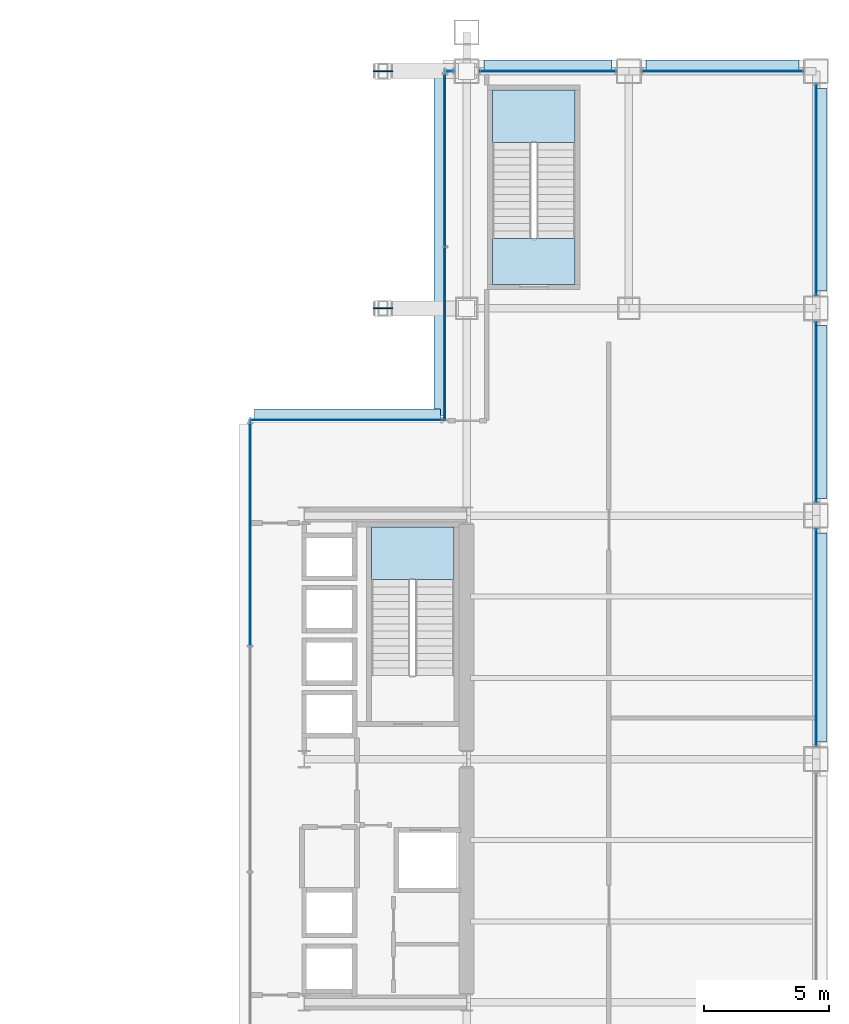
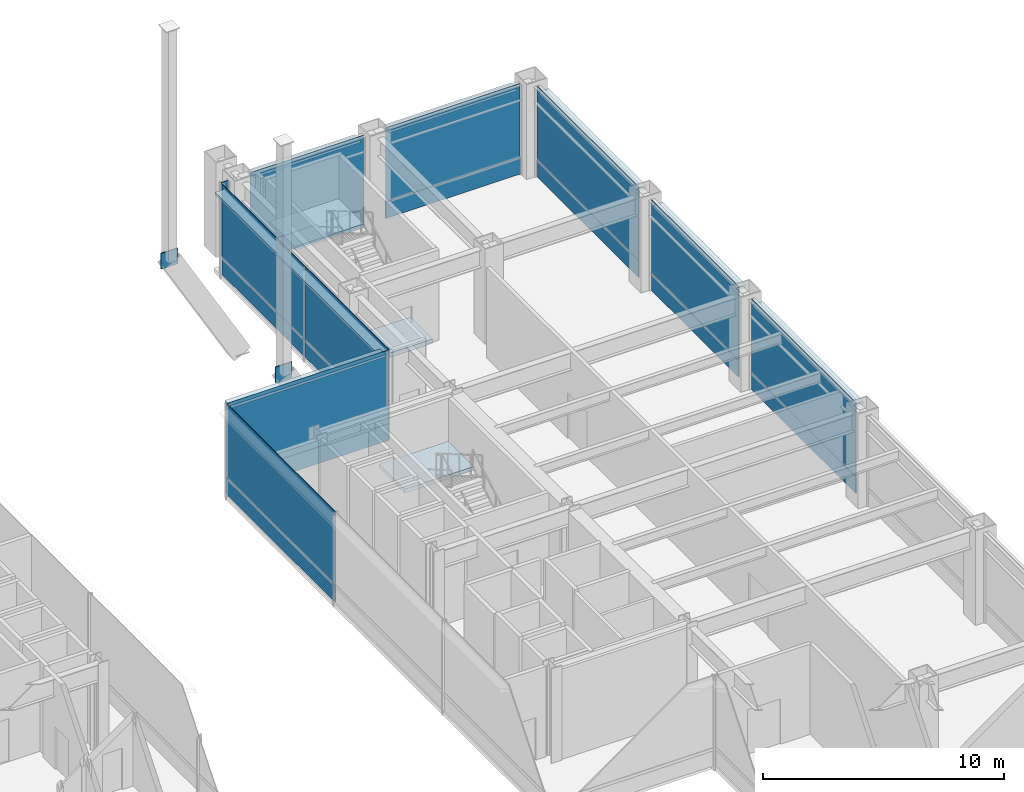
# One storey, part 32 of 40: 28 plates, 3 slabs, 11 elements without a shape of their own.
"""IFC4 building model written with IfcOpenShell, lengths in metres."""

import ifcopenshell
import ifcopenshell.guid

model = None  # the IFC model being written
_history = None  # IfcOwnerHistory: only IFC2X3 demands one
_inside = {}  # id of a spatial element -> (the spatial element, [elements in it])
_under = {}  # id of a project, library or spatial element -> (it, [spatial elements below it])
_declared = {}  # id of a project -> (the project, [libraries it declares])
_typed = {}  # id of a type object -> (the type object, [elements of that type])
_made_of = {}  # id of a material, layer set ... -> (it, [elements and type objects made of it])


def new_model(schema):
    """Start an empty IFC model of exactly this schema.

    Asked for "IFC4X3", IfcOpenShell would pick the latest addendum, in which some entities
    have other attributes; the version numbers below select the first issue.
    IFC2X3 requires an IfcOwnerHistory on every rooted entity: one is made here for all.
    """
    global model, _history
    if schema == "IFC4X3":
        model = ifcopenshell.file(schema_version=(4, 3, 0, 0))
    else:
        model = ifcopenshell.file(schema=schema)
    _inside.clear()
    _under.clear()
    _declared.clear()
    _typed.clear()
    _made_of.clear()
    _history = None
    if model.schema == "IFC2X3":
        org = make("IfcOrganization", Name="unknown")
        user = make(
            "IfcPersonAndOrganization",
            ThePerson=make("IfcPerson", FamilyName="unknown"),
            TheOrganization=org,
        )
        app = make(
            "IfcApplication",
            ApplicationDeveloper=org,
            Version="unknown",
            ApplicationFullName="unknown",
            ApplicationIdentifier="unknown",
        )
        _history = make(
            "IfcOwnerHistory",
            OwningUser=user,
            OwningApplication=app,
            ChangeAction="ADDED",
            CreationDate=0,
        )
    return model


def make(cls, **values):
    """One entity of the class cls with the attributes given. An attribute that is None is left unset."""
    return model.create_entity(
        cls, **{name: value for name, value in values.items() if value is not None}
    )


def rooted(cls, **values):
    """An entity with a GlobalId (a new one), such as an element, a storey or a relation."""
    return make(cls, GlobalId=ifcopenshell.guid.new(), OwnerHistory=_history, **values)


def si_unit(unit_type, name, prefix=None):
    """IfcSIUnit, for example si_unit("LENGTHUNIT", "METRE", prefix="MILLI")."""
    return make("IfcSIUnit", UnitType=unit_type, Prefix=prefix, Name=name)


def assignment(units):
    """IfcUnitAssignment: the units of a project."""
    return None if units is None else make("IfcUnitAssignment", Units=units)


def point(xyz):
    """IfcCartesianPoint."""
    return None if xyz is None else make("IfcCartesianPoint", Coordinates=xyz)


def direction(xyz):
    """IfcDirection."""
    return None if xyz is None else make("IfcDirection", DirectionRatios=xyz)


def frame(location, z_axis=None, x_axis=None):
    """IfcAxis2Placement3D, a coordinate frame: its origin and axes. An axis left out is left unset."""
    return make(
        "IfcAxis2Placement3D",
        Location=point(location),
        Axis=direction(z_axis),
        RefDirection=direction(x_axis),
    )


def frame_2d(location, x_axis=None):
    """IfcAxis2Placement2D, a coordinate frame in the plane: its origin and x axis."""
    return make(
        "IfcAxis2Placement2D", Location=point(location), RefDirection=direction(x_axis)
    )


def origin():
    """The frame at (0, 0, 0) with its axes left unset."""
    return frame((0.0, 0.0, 0.0))


def origin_2d():
    """The frame at (0, 0) in the plane with its x axis left unset."""
    return frame_2d((0.0, 0.0))


def place(relative_to, where):
    """IfcLocalPlacement: puts the frame where relative to a parent placement (None: the world)."""
    return make(
        "IfcLocalPlacement", PlacementRelTo=relative_to, RelativePlacement=where
    )


def context(
    kind, dimensions, precision=None, world=None, true_north=None, identifier=None
):
    """IfcGeometricRepresentationContext, for example the 3D "Model" context."""
    return make(
        "IfcGeometricRepresentationContext",
        ContextIdentifier=identifier,
        ContextType=kind,
        CoordinateSpaceDimension=dimensions,
        Precision=precision,
        WorldCoordinateSystem=world,
        TrueNorth=true_north,
    )


def subcontext(parent, identifier, kind, view, scale=None):
    """IfcGeometricRepresentationSubContext, for example "Body" below "Model"."""
    return make(
        "IfcGeometricRepresentationSubContext",
        ContextIdentifier=identifier,
        ContextType=kind,
        ParentContext=parent,
        TargetScale=scale,
        TargetView=view,
    )


def project(units=None, contexts=None):
    """IfcProject with its units and contexts."""
    return rooted(
        "IfcProject",
        Name="project",
        RepresentationContexts=contexts,
        UnitsInContext=assignment(units),
    )


def spatial(cls, under=None, at=None, **own):
    """A site, building, storey or space (cls), placed at a placement, below another one or the project."""
    s = rooted(cls, ObjectPlacement=at, **own)
    if under is not None:
        _under.setdefault(under.id(), (under, []))[1].append(s)
    return s


def polyline(points):
    """IfcPolyline through the points."""
    return make("IfcPolyline", Points=[point(p) for p in points])


def profile(cls, at=None, kind="AREA", **sizes):
    """A parametric profile (cls). Its sizes go by their IFC names, for example OverallWidth=200.0."""
    return make(cls, ProfileType=kind, Position=at, **sizes)


def rectangle(**sizes):
    """IfcRectangleProfileDef."""
    return profile("IfcRectangleProfileDef", **sizes)


def outline(outer, holes=None, kind="AREA"):
    """IfcArbitraryClosedProfileDef: a profile drawn as a closed curve; with holes, ...WithVoids."""
    if holes is None:
        return make("IfcArbitraryClosedProfileDef", ProfileType=kind, OuterCurve=outer)
    return make(
        "IfcArbitraryProfileDefWithVoids",
        ProfileType=kind,
        OuterCurve=outer,
        InnerCurves=holes,
    )


def extrude(swept, where, along, depth):
    """IfcExtrudedAreaSolid: the profile swept, set in the frame where, extruded along a direction by depth."""
    return make(
        "IfcExtrudedAreaSolid",
        SweptArea=swept,
        Position=where,
        ExtrudedDirection=direction(along),
        Depth=depth,
    )


def shape(context_of_items, identifier, shape_type, items):
    """IfcShapeRepresentation: the items that make up one representation, for example the "Body"."""
    return make(
        "IfcShapeRepresentation",
        ContextOfItems=context_of_items,
        RepresentationIdentifier=identifier,
        RepresentationType=shape_type,
        Items=items,
    )


def material(Name=None, Category=None):
    """IfcMaterial."""
    return make("IfcMaterial", Name=Name, Category=Category)


def layer(
    of_material, thickness, ventilated=None, Name=None, Category=None, Priority=None
):
    """IfcMaterialLayer: one layer of a wall or slab, of a material (None: an air gap)."""
    return make(
        "IfcMaterialLayer",
        Material=of_material,
        LayerThickness=thickness,
        IsVentilated=ventilated,
        Name=Name,
        Category=Category,
        Priority=Priority,
    )


def layer_set(layers, Name=None):
    """IfcMaterialLayerSet."""
    return make("IfcMaterialLayerSet", MaterialLayers=layers, LayerSetName=Name)


def made_of(thing, what):
    """Note that an element or type object is made of a material, layer set ...; save() writes the relation."""
    if what is not None:
        _made_of.setdefault(what.id(), (what, []))[1].append(thing)
    return thing


def type_object(cls, material=None, **own):
    """A type object (cls), such as IfcWallType, which elements share."""
    return made_of(rooted(cls, **own), material)


def element(
    cls,
    number,
    at=None,
    inside=None,
    cuts=None,
    type_object=None,
    material=None,
    context=None,
    identifier="Body",
    shape_type=None,
    held_by="IfcProductDefinitionShape",
    body=None,
    shapes=None,
    **own,
):
    """One element of the class cls, such as IfcWall. Its Tag is "e" and its number.

    at: its placement. inside: the storey or other place that contains it. cuts: it is an
    opening in that element (IfcRelVoidsElement). A single representation is given by context,
    identifier, shape_type and body (its items); several are given by shapes. held_by: the class
    of the entity that holds the representations. save() writes the other relations.
    """
    e = rooted(cls, Tag="e%d" % number, ObjectPlacement=at, **own)
    if body is not None:
        shapes = [shape(context, identifier, shape_type, body)]
    if shapes is not None:
        e.Representation = make(held_by, Representations=shapes)
    if inside is not None:
        _inside.setdefault(inside.id(), (inside, []))[1].append(e)
    if cuts is not None:
        rooted(
            "IfcRelVoidsElement", RelatingBuildingElement=cuts, RelatedOpeningElement=e
        )
    if type_object is not None:
        _typed.setdefault(type_object.id(), (type_object, []))[1].append(e)
    return made_of(e, material)


def aggregate(whole, parts):
    """IfcRelAggregates: a whole, such as a stair, and the parts it consists of."""
    return rooted("IfcRelAggregates", RelatingObject=whole, RelatedObjects=parts)


def save(model, path):
    """Write the relations noted so far, then the file.

    IfcRelAggregates (storeys below a building ...), IfcRelContainedInSpatialStructure (elements
    in a storey), IfcRelDefinesByType, IfcRelAssociatesMaterial and IfcRelDeclares: one each for
    every whole, place, type object, material and project.
    """
    for whole, parts in _under.values():
        aggregate(whole, parts)
    for where, things in _inside.values():
        rooted(
            "IfcRelContainedInSpatialStructure",
            RelatedElements=things,
            RelatingStructure=where,
        )
    for kind, things in _typed.values():
        rooted("IfcRelDefinesByType", RelatedObjects=things, RelatingType=kind)
    for what, things in _made_of.values():
        rooted("IfcRelAssociatesMaterial", RelatedObjects=things, RelatingMaterial=what)
    for by, libraries in _declared.values():
        rooted("IfcRelDeclares", RelatingContext=by, RelatedDefinitions=libraries)
    model.write(path)


model = new_model("IFC4")

# Units and contexts
model_context = context("Model", 3, precision=1e-05, world=origin(), true_north=direction((0.0, 1.0)))
body_context = subcontext(model_context, "Body", "Model", "MODEL_VIEW")
ifc_project = project(units=[si_unit("LENGTHUNIT", "METRE"), si_unit("AREAUNIT", "SQUARE_METRE"), si_unit("VOLUMEUNIT", "CUBIC_METRE"), si_unit("PLANEANGLEUNIT", "RADIAN"), si_unit("MASSUNIT", "GRAM", prefix="KILO")], contexts=[model_context])

# Site, building, storey
site_placement = place(None, origin())
site = spatial("IfcSite", under=ifc_project, at=site_placement, CompositionType="ELEMENT")
building_placement = place(site_placement, origin())
building = spatial("IfcBuilding", under=site, at=building_placement, Name="Brelmoor Portico Tower", CompositionType="ELEMENT")
storey_placement = place(building_placement, frame((0.0, 0.0, 4.800048828125)))
storey = spatial("IfcBuildingStorey", under=building, at=storey_placement, Name="L01", CompositionType="ELEMENT", Elevation=4.800048828125)

# Curtain wall, plate
ifc_material_1 = material(Name="Anodised Aluminium Alloy 6063-T6", Category="aluminium")
ifc_layer_1 = layer(ifc_material_1, 0.179931640625)
ifc_layer_set_1 = layer_set([ifc_layer_1], Name="Anodised Aluminium Alloy 6063-T6")
curtain_wall_type = type_object("IfcCurtainWallType", Name="CW-PODIUM-ARCH", PredefinedType="NOTDEFINED", material=ifc_layer_set_1)
curtain_wall_1_placement = place(storey_placement, origin())
curtain_wall_1 = element("IfcCurtainWall", 1, at=curtain_wall_1_placement, inside=storey, type_object=curtain_wall_type, Name="L01 Curtain Wall CW-L01-04-1", PredefinedType="NOTDEFINED")
ifc_material_2 = material(Name="Double-Silver Low-E Insulated Glazing", Category="glass")
ifc_layer_2 = layer(ifc_material_2, 0.035888671875)
ifc_layer_set_2 = layer_set([ifc_layer_2], Name="Double-Silver Low-E Insulated Glazing")
plate_type_1 = type_object("IfcPlateType", Name="PT-CW-GLASS", PredefinedType="CURTAIN_PANEL", material=ifc_layer_set_2)
plate_1_placement = place(storey_placement, frame((13.860107421875, 27.550048828125, 0.849853515625), z_axis=(0.0, 0.0, 1.0), x_axis=(1.0, 0.0, 0.0)))
plate_1 = element("IfcPlate", 2, at=plate_1_placement, type_object=plate_type_1, Name="CW-L01-04-1 Vision Glass Panel 00", PredefinedType="CURTAIN_PANEL", context=body_context, shape_type="SweptSolid", body=[
    extrude(rectangle(XDim=0.330078125, YDim=0.035888671875, at=origin_2d()), origin(), (0.0, 0.0, 1.0), 3.72998046875),
])
aggregate(curtain_wall_1, [plate_1])

curtain_wall_2_placement = place(storey_placement, origin())
curtain_wall_2 = element("IfcCurtainWall", 3, at=curtain_wall_2_placement, inside=storey, type_object=curtain_wall_type, Name="L01 Curtain Wall CW-L01-04-2", PredefinedType="NOTDEFINED")
plate_2_placement = place(storey_placement, frame((17.800048828125, 27.550048828125, 0.849853515625), z_axis=(0.0, 0.0, 1.0), x_axis=(1.0, 0.0, 0.0)))
plate_2 = element("IfcPlate", 4, at=plate_2_placement, type_object=plate_type_1, Name="CW-L01-04-2 Vision Glass Panel 00", PredefinedType="CURTAIN_PANEL", context=body_context, shape_type="SweptSolid", body=[
    extrude(rectangle(XDim=5.449951171875, YDim=0.035888671875, at=origin_2d()), origin(), (0.0, 0.0, 1.0), 3.72998046875),
])

curtain_wall_3_placement = place(storey_placement, origin())
curtain_wall_3 = element("IfcCurtainWall", 5, at=curtain_wall_3_placement, inside=storey, type_object=curtain_wall_type, Name="L01 Curtain Wall CW-L01-04-3", PredefinedType="NOTDEFINED")
plate_3_placement = place(storey_placement, frame((24.800048828125, 27.550048828125, 0.849853515625), z_axis=(0.0, 0.0, 1.0), x_axis=(1.0, 0.0, 0.0)))
plate_3 = element("IfcPlate", 6, at=plate_3_placement, type_object=plate_type_1, Name="CW-L01-04-3 Vision Glass Panel 00", PredefinedType="CURTAIN_PANEL", context=body_context, shape_type="SweptSolid", body=[
    extrude(rectangle(XDim=6.449951171875, YDim=0.035888671875, at=origin_2d()), origin(), (0.0, 0.0, 1.0), 3.72998046875),
])

curtain_wall_4_placement = place(storey_placement, origin())
curtain_wall_4 = element("IfcCurtainWall", 7, at=curtain_wall_4_placement, inside=storey, type_object=curtain_wall_type, Name="L01 Curtain Wall CW-L01-06-4", PredefinedType="NOTDEFINED")
plate_4_placement = place(storey_placement, frame((28.550048828125, 4.875, 0.849853515625), z_axis=(0.0, 0.0, 1.0), x_axis=(0.0, 1.0, 0.0)))
plate_4 = element("IfcPlate", 8, at=plate_4_placement, type_object=plate_type_1, Name="CW-L01-06-4 Vision Glass Panel 00", PredefinedType="CURTAIN_PANEL", context=body_context, shape_type="SweptSolid", body=[
    extrude(rectangle(XDim=8.699951171875, YDim=0.035888671875, at=origin_2d()), origin(), (0.0, 0.0, 1.0), 3.72998046875),
])

curtain_wall_5_placement = place(storey_placement, origin())
curtain_wall_5 = element("IfcCurtainWall", 9, at=curtain_wall_5_placement, inside=storey, type_object=curtain_wall_type, Name="L01 Curtain Wall CW-L01-06-5", PredefinedType="NOTDEFINED")
plate_5_placement = place(storey_placement, frame((28.550048828125, 13.89990234375, 0.849853515625), z_axis=(0.0, 0.0, 1.0), x_axis=(0.0, 1.0, 0.0)))
plate_5 = element("IfcPlate", 10, at=plate_5_placement, type_object=plate_type_1, Name="CW-L01-06-5 Vision Glass Panel 00", PredefinedType="CURTAIN_PANEL", context=body_context, shape_type="SweptSolid", body=[
    extrude(rectangle(XDim=7.25, YDim=0.035888671875, at=origin_2d()), origin(), (0.0, 0.0, 1.0), 3.72998046875),
])

curtain_wall_6_placement = place(storey_placement, origin())
curtain_wall_6 = element("IfcCurtainWall", 11, at=curtain_wall_6_placement, inside=storey, type_object=curtain_wall_type, Name="L01 Curtain Wall CW-L01-06-6", PredefinedType="NOTDEFINED")
plate_6_placement = place(storey_placement, frame((28.550048828125, 22.800048828125, 0.849853515625), z_axis=(0.0, 0.0, 1.0), x_axis=(0.0, 1.0, 0.0)))
plate_6 = element("IfcPlate", 12, at=plate_6_placement, type_object=plate_type_1, Name="CW-L01-06-6 Vision Glass Panel 00", PredefinedType="CURTAIN_PANEL", context=body_context, shape_type="SweptSolid", body=[
    extrude(rectangle(XDim=8.449951171875, YDim=0.035888671875, at=origin_2d()), origin(), (0.0, 0.0, 1.0), 3.72998046875),
])

# Curtain wall, plates
curtain_wall_7_placement = place(storey_placement, origin())
curtain_wall_7 = element("IfcCurtainWall", 13, at=curtain_wall_7_placement, inside=storey, type_object=curtain_wall_type, Name="L01 Curtain Wall CW-L01-10", PredefinedType="NOTDEFINED")
plate_7_placement = place(storey_placement, frame((13.679931640625, 17.047607421875, 0.849853515625), z_axis=(0.0, 0.0, 1.0), x_axis=(0.0, 1.0, 0.0)))
plate_7 = element("IfcPlate", 14, at=plate_7_placement, type_object=plate_type_1, Name="CW-L01-10 Vision Glass Panel 00", PredefinedType="CURTAIN_PANEL", context=body_context, shape_type="SweptSolid", body=[
    extrude(rectangle(XDim=6.905029296875, YDim=0.035888671875, at=origin_2d()), origin(), (0.0, 0.0, 1.0), 3.72998046875),
])
plate_8_placement = place(storey_placement, frame((13.679931640625, 23.982421875, 0.849853515625), z_axis=(0.0, 0.0, 1.0), x_axis=(0.0, 1.0, 0.0)))
plate_8 = element("IfcPlate", 15, at=plate_8_placement, type_object=plate_type_1, Name="CW-L01-10 Vision Glass Panel 01", PredefinedType="CURTAIN_PANEL", context=body_context, shape_type="SweptSolid", body=[
    extrude(rectangle(XDim=6.905029296875, YDim=0.035888671875, at=origin_2d()), origin(), (0.0, 0.0, 1.0), 3.72998046875),
])

# Curtain wall, plate
curtain_wall_8_placement = place(storey_placement, origin())
curtain_wall_8 = element("IfcCurtainWall", 16, at=curtain_wall_8_placement, inside=storey, type_object=curtain_wall_type, Name="L01 Curtain Wall CW-L01-14", PredefinedType="NOTDEFINED")
plate_9_placement = place(storey_placement, frame((9.780029296875, 13.580078125, 0.849853515625), z_axis=(0.0, 0.0, 1.0), x_axis=(1.0, 0.0, 0.0)))
plate_9 = element("IfcPlate", 17, at=plate_9_placement, type_object=plate_type_1, Name="CW-L01-14 Vision Glass Panel 00", PredefinedType="CURTAIN_PANEL", context=body_context, shape_type="SweptSolid", body=[
    extrude(rectangle(XDim=7.77001953125, YDim=0.035888671875, at=origin_2d()), origin(), (0.0, 0.0, 1.0), 3.72998046875),
])

curtain_wall_9_placement = place(storey_placement, origin())
curtain_wall_9 = element("IfcCurtainWall", 18, at=curtain_wall_9_placement, inside=storey, type_object=curtain_wall_type, Name="L01 Curtain Wall CW-L01-16", PredefinedType="NOTDEFINED")
plate_10_placement = place(storey_placement, frame((5.8798828125, 9.05322265625, 0.849853515625), z_axis=(0.0, 0.0, 1.0), x_axis=(0.0, 1.0, 0.0)))
plate_10 = element("IfcPlate", 19, at=plate_10_placement, type_object=plate_type_1, Name="CW-L01-16 Vision Glass Panel 02", PredefinedType="CURTAIN_PANEL", context=body_context, shape_type="SweptSolid", body=[
    extrude(rectangle(XDim=9.023193359375, YDim=0.035888671875, at=origin_2d()), origin(), (0.0, 0.0, 1.0), 3.72998046875),
])

# Plate
ifc_material_3 = material(Name="Pale Champagne Anodised Aluminium Panel", Category="aluminium")
ifc_layer_3 = layer(ifc_material_3, 0.050048828125)
ifc_layer_set_3 = layer_set([ifc_layer_3], Name="Pale Champagne Anodised Aluminium Panel")
plate_type_2 = type_object("IfcPlateType", Name="PT-CW-SPANDREL", PredefinedType="SHEET", material=ifc_layer_set_3)
plate_11_placement = place(storey_placement, frame((17.800048828125, 27.550048828125, 0.0), z_axis=(0.0, 0.0, 1.0), x_axis=(1.0, 0.0, 0.0)))
plate_11 = element("IfcPlate", 20, at=plate_11_placement, type_object=plate_type_2, Name="CW-L01-04-2 Spandrel Panel 00", PredefinedType="SHEET", context=body_context, shape_type="SweptSolid", body=[
    extrude(rectangle(XDim=5.449951171875, YDim=0.050048828125, at=origin_2d()), origin(), (0.0, 0.0, 1.0), 0.85009765625),
])

aggregate(curtain_wall_2, [plate_11, plate_2])

plate_12_placement = place(storey_placement, frame((24.800048828125, 27.550048828125, 0.0), z_axis=(0.0, 0.0, 1.0), x_axis=(1.0, 0.0, 0.0)))
plate_12 = element("IfcPlate", 21, at=plate_12_placement, type_object=plate_type_2, Name="CW-L01-04-3 Spandrel Panel 00", PredefinedType="SHEET", context=body_context, shape_type="SweptSolid", body=[
    extrude(rectangle(XDim=6.449951171875, YDim=0.050048828125, at=origin_2d()), origin(), (0.0, 0.0, 1.0), 0.85009765625),
])

aggregate(curtain_wall_3, [plate_12, plate_3])

plate_13_placement = place(storey_placement, frame((28.550048828125, 4.875, 0.0), z_axis=(0.0, 0.0, 1.0), x_axis=(0.0, 1.0, 0.0)))
plate_13 = element("IfcPlate", 22, at=plate_13_placement, type_object=plate_type_2, Name="CW-L01-06-4 Spandrel Panel 00", PredefinedType="SHEET", context=body_context, shape_type="SweptSolid", body=[
    extrude(rectangle(XDim=8.699951171875, YDim=0.050048828125, at=origin_2d()), origin(), (0.0, 0.0, 1.0), 0.85009765625),
])

aggregate(curtain_wall_4, [plate_13, plate_4])

plate_14_placement = place(storey_placement, frame((28.550048828125, 13.89990234375, 0.0), z_axis=(0.0, 0.0, 1.0), x_axis=(0.0, 1.0, 0.0)))
plate_14 = element("IfcPlate", 23, at=plate_14_placement, type_object=plate_type_2, Name="CW-L01-06-5 Spandrel Panel 00", PredefinedType="SHEET", context=body_context, shape_type="SweptSolid", body=[
    extrude(rectangle(XDim=7.25, YDim=0.050048828125, at=origin_2d()), origin(), (0.0, 0.0, 1.0), 0.85009765625),
])

aggregate(curtain_wall_5, [plate_14, plate_5])

plate_15_placement = place(storey_placement, frame((28.550048828125, 22.800048828125, 0.0), z_axis=(0.0, 0.0, 1.0), x_axis=(0.0, 1.0, 0.0)))
plate_15 = element("IfcPlate", 24, at=plate_15_placement, type_object=plate_type_2, Name="CW-L01-06-6 Spandrel Panel 00", PredefinedType="SHEET", context=body_context, shape_type="SweptSolid", body=[
    extrude(rectangle(XDim=8.449951171875, YDim=0.050048828125, at=origin_2d()), origin(), (0.0, 0.0, 1.0), 0.85009765625),
])

aggregate(curtain_wall_6, [plate_15, plate_6])

plate_16_placement = place(storey_placement, frame((13.679931640625, 17.047607421875, 0.0), z_axis=(0.0, 0.0, 1.0), x_axis=(0.0, 1.0, 0.0)))
plate_16 = element("IfcPlate", 25, at=plate_16_placement, type_object=plate_type_2, Name="CW-L01-10 Spandrel Panel 00", PredefinedType="SHEET", context=body_context, shape_type="SweptSolid", body=[
    extrude(rectangle(XDim=6.905029296875, YDim=0.050048828125, at=origin_2d()), origin(), (0.0, 0.0, 1.0), 0.85009765625),
])

plate_17_placement = place(storey_placement, frame((13.679931640625, 23.982421875, 0.0), z_axis=(0.0, 0.0, 1.0), x_axis=(0.0, 1.0, 0.0)))
plate_17 = element("IfcPlate", 26, at=plate_17_placement, type_object=plate_type_2, Name="CW-L01-10 Spandrel Panel 01", PredefinedType="SHEET", context=body_context, shape_type="SweptSolid", body=[
    extrude(rectangle(XDim=6.905029296875, YDim=0.050048828125, at=origin_2d()), origin(), (0.0, 0.0, 1.0), 0.85009765625),
])

aggregate(curtain_wall_7, [plate_16, plate_7, plate_17, plate_8])

plate_18_placement = place(storey_placement, frame((9.780029296875, 13.580078125, 0.0), z_axis=(0.0, 0.0, 1.0), x_axis=(1.0, 0.0, 0.0)))
plate_18 = element("IfcPlate", 27, at=plate_18_placement, type_object=plate_type_2, Name="CW-L01-14 Spandrel Panel 00", PredefinedType="SHEET", context=body_context, shape_type="SweptSolid", body=[
    extrude(rectangle(XDim=7.77001953125, YDim=0.050048828125, at=origin_2d()), origin(), (0.0, 0.0, 1.0), 0.85009765625),
])

aggregate(curtain_wall_8, [plate_18, plate_9])

plate_19_placement = place(storey_placement, frame((5.8798828125, 9.05322265625, 0.0), z_axis=(0.0, 0.0, 1.0), x_axis=(0.0, 1.0, 0.0)))
plate_19 = element("IfcPlate", 28, at=plate_19_placement, type_object=plate_type_2, Name="CW-L01-16 Spandrel Panel 02", PredefinedType="SHEET", context=body_context, shape_type="SweptSolid", body=[
    extrude(rectangle(XDim=9.023193359375, YDim=0.050048828125, at=origin_2d()), origin(), (0.0, 0.0, 1.0), 0.85009765625),
])

aggregate(curtain_wall_9, [plate_19, plate_10])

# Plates
ifc_material_4 = material(Name="Steel Q355B", Category="steel")
ifc_layer_4 = layer(ifc_material_4, 0.050048828125)
ifc_layer_set_4 = layer_set([ifc_layer_4], Name="Steel Q355B")
plate_type_3 = type_object("IfcPlateType", Name="PT-GUSSET-800", PredefinedType="USERDEFINED", material=ifc_layer_set_4)
for number, where, z_axis, x_axis, name in (
    (29, (11.199951171875, 18.050048828125, 1.19970703125), (0.0, 0.0, 1.0), (1.0, 0.0, 0.0), "Portico Arch Gusset Plate N2-7"),
    (30, (11.199951171875, 27.550048828125, 1.19970703125), (0.0, 0.0, 1.0), (1.0, 0.0, 0.0), "Portico Arch Gusset Plate N1-7"),
):
    element("IfcPlate", number, at=place(storey_placement, frame(where, z_axis=z_axis, x_axis=x_axis)), inside=storey, type_object=plate_type_3, Name=name, ObjectType="GUSSET PLATE", PredefinedType="USERDEFINED", context=body_context, shape_type="SweptSolid", body=[
        extrude(rectangle(XDim=0.800048828125, YDim=0.050048828125, at=origin_2d()), origin(), (0.0, 0.0, 1.0), 0.800048828125),
    ])
ifc_material_5 = material(Name="Pale Champagne Perforated Aluminium Solar Screen", Category="aluminium")
ifc_layer_5 = layer(ifc_material_5, 0.054931640625)
ifc_layer_set_5 = layer_set([ifc_layer_5], Name="Pale Champagne Perforated Aluminium Solar Screen")
plate_type_4 = type_object("IfcPlateType", Name="PT-SOLAR-LOUVRE", PredefinedType="SHEET", material=ifc_layer_set_5)
plate_20_placement = place(storey_placement, frame((17.800048828125, 27.760009765625, 4.27001953125), z_axis=(0.0, 0.0, 1.0), x_axis=(1.0, 0.0, 0.0)))
element("IfcPlate", 31, at=plate_20_placement, inside=storey, type_object=plate_type_4, Name="CW-L01-04-2 Caribbean Brise-Soleil Solar Screen", PredefinedType="SHEET", context=body_context, shape_type="SweptSolid", body=[
    extrude(rectangle(XDim=5.1201171875, YDim=0.4599609375, at=origin_2d()), origin(), (0.0, 0.0, 1.0), 0.139892578125),
])
plate_21_placement = place(storey_placement, frame((24.800048828125, 27.760009765625, 4.27001953125), z_axis=(0.0, 0.0, 1.0), x_axis=(1.0, 0.0, 0.0)))
element("IfcPlate", 32, at=plate_21_placement, inside=storey, type_object=plate_type_4, Name="CW-L01-04-3 Caribbean Brise-Soleil Solar Screen", PredefinedType="SHEET", context=body_context, shape_type="SweptSolid", body=[
    extrude(rectangle(XDim=6.1201171875, YDim=0.4599609375, at=origin_2d()), origin(), (0.0, 0.0, 1.0), 0.139892578125),
])
plate_22_placement = place(storey_placement, frame((28.760009765625, 4.875, 4.27001953125), z_axis=(0.0, 0.0, 1.0), x_axis=(0.0, 1.0, 0.0)))
element("IfcPlate", 33, at=plate_22_placement, inside=storey, type_object=plate_type_4, Name="CW-L01-06-4 Caribbean Brise-Soleil Solar Screen", PredefinedType="SHEET", context=body_context, shape_type="SweptSolid", body=[
    extrude(rectangle(XDim=8.3701171875, YDim=0.4599609375, at=origin_2d()), origin(), (0.0, 0.0, 1.0), 0.139892578125),
])
plate_23_placement = place(storey_placement, frame((28.760009765625, 13.89990234375, 4.27001953125), z_axis=(0.0, 0.0, 1.0), x_axis=(0.0, 1.0, 0.0)))
element("IfcPlate", 34, at=plate_23_placement, inside=storey, type_object=plate_type_4, Name="CW-L01-06-5 Caribbean Brise-Soleil Solar Screen", PredefinedType="SHEET", context=body_context, shape_type="SweptSolid", body=[
    extrude(rectangle(XDim=6.919921875, YDim=0.4599609375, at=origin_2d()), origin(), (0.0, 0.0, 1.0), 0.139892578125),
])
plate_24_placement = place(storey_placement, frame((28.760009765625, 22.800048828125, 4.27001953125), z_axis=(0.0, 0.0, 1.0), x_axis=(0.0, 1.0, 0.0)))
element("IfcPlate", 35, at=plate_24_placement, inside=storey, type_object=plate_type_4, Name="CW-L01-06-6 Caribbean Brise-Soleil Solar Screen", PredefinedType="SHEET", context=body_context, shape_type="SweptSolid", body=[
    extrude(rectangle(XDim=8.1201171875, YDim=0.4599609375, at=origin_2d()), origin(), (0.0, 0.0, 1.0), 0.139892578125),
])
plate_25_placement = place(storey_placement, frame((13.469970703125, 20.514892578125, 4.27001953125), z_axis=(0.0, 0.0, 1.0), x_axis=(0.0, 1.0, 0.0)))
element("IfcPlate", 36, at=plate_25_placement, inside=storey, type_object=plate_type_4, Name="CW-L01-10 Caribbean Brise-Soleil Solar Screen", PredefinedType="SHEET", context=body_context, shape_type="SweptSolid", body=[
    extrude(rectangle(XDim=13.510009765625, YDim=0.4599609375, at=origin_2d()), origin(), (0.0, 0.0, 1.0), 0.139892578125),
])
plate_26_placement = place(storey_placement, frame((9.780029296875, 13.7900390625, 4.27001953125), z_axis=(0.0, 0.0, 1.0), x_axis=(1.0, 0.0, 0.0)))
element("IfcPlate", 37, at=plate_26_placement, inside=storey, type_object=plate_type_4, Name="CW-L01-14 Caribbean Brise-Soleil Solar Screen", PredefinedType="SHEET", context=body_context, shape_type="SweptSolid", body=[
    extrude(rectangle(XDim=7.43994140625, YDim=0.4599609375, at=origin_2d()), origin(), (0.0, 0.0, 1.0), 0.139892578125),
])

# Stair, slab
ifc_material_6 = material(Name="Concrete C40", Category="concrete")
stair_type_1 = type_object("IfcStairType", Name="ST-CORE-E", PredefinedType="HALF_TURN_STAIR", material=ifc_material_6)
stair_1_placement = place(storey_placement, origin())
stair_1 = element("IfcStair", 38, at=stair_1_placement, inside=storey, type_object=stair_type_1, Name="L01 Protected Core Exit Stair ST-E", PredefinedType="HALF_TURN_STAIR")
ifc_layer_6 = layer(ifc_material_6, 0.179931640625)
ifc_layer_set_6 = layer_set([ifc_layer_6], Name="Concrete C40")
slab_type_1 = type_object("IfcSlabType", Name="SL-LANDING-180", PredefinedType="LANDING", material=ifc_layer_set_6)
slab_1_placement = place(storey_placement, frame((0.0, 0.0, 2.199951171875)))
slab_1 = element("IfcSlab", 39, at=slab_1_placement, type_object=slab_type_1, Name="ST-E landing 1", PredefinedType="LANDING", context=body_context, shape_type="SweptSolid", body=[
    extrude(outline(polyline([(14.050048828125, 7.18505859375), (14.050048828125, 9.300048828125), (10.72998046875, 9.300048828125), (10.72998046875, 7.18505859375), (14.050048828125, 7.18505859375)])), origin(), (0.0, 0.0, 1.0), 0.199951171875),
])
aggregate(stair_1, [slab_1])

stair_type_2 = type_object("IfcStairType", Name="ST-POD-P2", PredefinedType="HALF_TURN_STAIR", material=ifc_material_6)
stair_2_placement = place(storey_placement, origin())
stair_2 = element("IfcStair", 40, at=stair_2_placement, inside=storey, type_object=stair_type_2, Name="L01 Podium Protected Exit Stair ST-P2", PredefinedType="HALF_TURN_STAIR")
slab_2_placement = place(storey_placement, frame((0.0, 0.0, 2.199951171875)))
slab_2 = element("IfcSlab", 41, at=slab_2_placement, type_object=slab_type_1, Name="ST-P2 landing 1", PredefinedType="LANDING", context=body_context, shape_type="SweptSolid", body=[
    extrude(outline(polyline([(18.89990234375, 24.68505859375), (18.89990234375, 26.800048828125), (15.580078125, 26.800048828125), (15.580078125, 24.68505859375), (18.89990234375, 24.68505859375)])), origin(), (0.0, 0.0, 1.0), 0.199951171875),
])
aggregate(stair_2, [slab_2])

# Slab
ifc_layer_7 = layer(ifc_material_6, 0.219970703125)
ifc_layer_set_7 = layer_set([ifc_layer_7], Name="Concrete C40")
slab_type_2 = type_object("IfcSlabType", Name="SL-STAIR-FL220", PredefinedType="LANDING", material=ifc_layer_set_7)
slab_3_placement = place(storey_placement, frame((0.0, 0.0, -0.219970703125)))
element("IfcSlab", 42, at=slab_3_placement, inside=storey, type_object=slab_type_2, Name="L01 ST-P2 Structural Floor Landing Slab", PredefinedType="LANDING", context=body_context, shape_type="SweptSolid", body=[
    extrude(outline(polyline([(18.89990234375, 19.0), (18.89990234375, 20.85009765625), (15.580078125, 20.85009765625), (15.580078125, 19.0), (18.89990234375, 19.0)])), origin(), (0.0, 0.0, 1.0), 0.219970703125),
])

save(model, "model.ifc")
